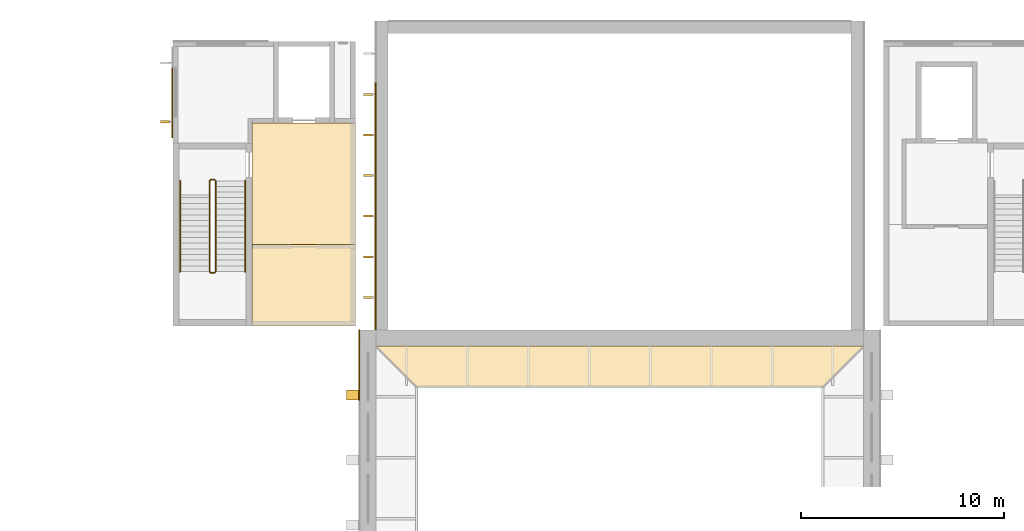
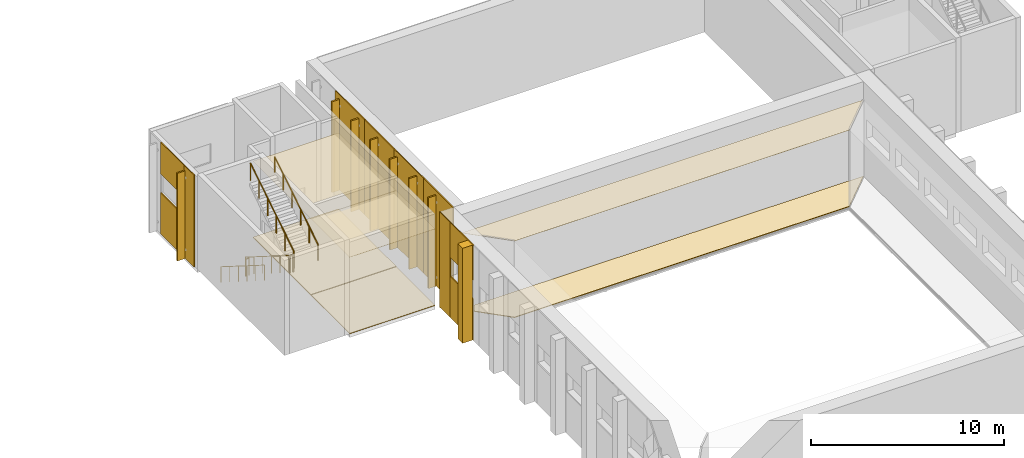
# One storey, part 20 of 22: 17 coverings, 7 shading devices, 6 railings.
"""IFC4 building model written with IfcOpenShell, lengths in metres."""

from ifc_helpers import new_model, si_unit, direction, frame, origin, origin_2d, place, context, subcontext, project, spatial, polyline, rectangle, circle, outline, extrude, material, layer, layer_set, type_object, element, save


model = new_model("IFC4")

# Units and contexts
model_context = context("Model", 3, precision=1e-05, world=origin(), true_north=direction((0.0, 1.0)))
body_context = subcontext(model_context, "Body", "Model", "MODEL_VIEW")
ifc_project = project(units=[si_unit("LENGTHUNIT", "METRE"), si_unit("AREAUNIT", "SQUARE_METRE"), si_unit("VOLUMEUNIT", "CUBIC_METRE"), si_unit("PLANEANGLEUNIT", "RADIAN"), si_unit("MASSUNIT", "GRAM", prefix="KILO")], contexts=[model_context])

# Site, building, storey
site_placement = place(None, origin())
site = spatial("IfcSite", under=ifc_project, at=site_placement, CompositionType="ELEMENT")
building_placement = place(site_placement, origin())
building = spatial("IfcBuilding", under=site, at=building_placement, Name="Lunette Opera House", CompositionType="ELEMENT")
storey_placement = place(building_placement, frame((0.0, 0.0, 28.0)))
storey = spatial("IfcBuildingStorey", under=building, at=storey_placement, Name="L05", CompositionType="ELEMENT", Elevation=28.0)

# Shading devices
ifc_material_1 = material(Name="Powder-coated aluminium", Category="aluminium")
shading_device_type = type_object("IfcShadingDeviceType", Name="SOLAR FIN 100 X 450", PredefinedType="USERDEFINED", material=ifc_material_1)
for number, where, z_axis, x_axis, name in (
    (1, (83.614990234375, 122.39990234375, 0.115234375), (0.0, 0.0, 1.0), (-1.0, 0.0, 0.0), "Solar fin ST-W089 1"),
    (2, (83.614990234375, 124.39990234375, 0.115234375), (0.0, 0.0, 1.0), (-1.0, 0.0, 0.0), "Solar fin ST-W089 2"),
    (3, (83.614990234375, 126.39990234375, 0.115234375), (0.0, 0.0, 1.0), (-1.0, 0.0, 0.0), "Solar fin ST-W089 3"),
    (4, (83.614990234375, 128.39990234375, 0.115234375), (0.0, 0.0, 1.0), (-1.0, 0.0, 0.0), "Solar fin ST-W089 4"),
    (5, (83.614990234375, 130.39990234375, 0.115234375), (0.0, 0.0, 1.0), (-1.0, 0.0, 0.0), "Solar fin ST-W089 5"),
    (6, (83.614990234375, 132.39990234375, 0.115234375), (0.0, 0.0, 1.0), (-1.0, 0.0, 0.0), "Solar fin ST-W089 6"),
):
    element("IfcShadingDevice", number, at=place(storey_placement, frame(where, z_axis=z_axis, x_axis=x_axis)), inside=storey, type_object=shading_device_type, Name=name, ObjectType="SOLAR FIN", PredefinedType="USERDEFINED", context=body_context, shape_type="SweptSolid", body=[
        extrude(rectangle(XDim=0.449951171875, YDim=0.10009765625, at=origin_2d()), origin(), (0.0, 0.0, 1.0), 5.735107421875),
    ])
shading_device_placement = place(storey_placement, frame((73.614990234375, 131.050048828125, 0.11572265625), z_axis=(0.0, 0.0, 1.0), x_axis=(-1.0, 0.0, 0.0)))
element("IfcShadingDevice", 7, at=shading_device_placement, inside=storey, type_object=shading_device_type, Name="Solar fin ST-W2042 2", ObjectType="SOLAR FIN", PredefinedType="USERDEFINED", context=body_context, shape_type="SweptSolid", body=[
    extrude(rectangle(XDim=0.449951171875, YDim=0.10009765625, at=origin_2d()), origin(), (0.0, 0.0, 1.0), 5.534912109375),
])

# Railings
ifc_material_2 = material(Name="Steel S355", Category="steel")
railing_type_1 = type_object("IfcRailingType", Name="STAIR GUARD 1100", PredefinedType="GUARDRAIL", material=ifc_material_2)
railing_1_placement = place(storey_placement, frame((75.800048828125, 128.14990234375, 0.176513671875)))
element("IfcRailing", 8, at=railing_1_placement, inside=storey, type_object=railing_type_1, Name="L05 ST11 stair guard 1", PredefinedType="GUARDRAIL", context=body_context, shape_type="SweptSolid", body=[
    extrude(circle(Radius=0.02392578125, at=origin_2d()), frame((0.0, 0.0, 1.076171875), z_axis=(0.0, -0.845997938375, 0.533186166611), x_axis=(1.0, 0.0, 0.0)), (0.0, 0.0, 1.0), 5.29541015625),
    extrude(circle(Radius=0.02099609375, at=origin_2d()), origin(), (0.0, 0.0, 1.0), 1.052001953125),
    extrude(circle(Radius=0.02099609375, at=origin_2d()), frame((0.0, -0.89599609375, 0.564697265625)), (0.0, 0.0, 1.0), 1.052001953125),
    extrude(circle(Radius=0.02099609375, at=origin_2d()), frame((0.0, -1.7919921875, 1.12939453125)), (0.0, 0.0, 1.0), 1.052001953125),
    extrude(circle(Radius=0.02099609375, at=origin_2d()), frame((0.0, -2.68798828125, 1.694091796875)), (0.0, 0.0, 1.0), 1.052001953125),
    extrude(circle(Radius=0.02099609375, at=origin_2d()), frame((0.0, -3.583984375, 2.2587890625)), (0.0, 0.0, 1.0), 1.052001953125),
    extrude(circle(Radius=0.02099609375, at=origin_2d()), frame((0.0, -4.47998046875, 2.823486328125)), (0.0, 0.0, 1.0), 1.052001953125),
])
railing_2_placement = place(storey_placement, frame((75.85009765625, 123.6201171875, 3.0)))
element("IfcRailing", 9, at=railing_2_placement, inside=storey, type_object=railing_type_1, Name="L05 ST11 stair guard 2", PredefinedType="GUARDRAIL", context=body_context, shape_type="SweptSolid", body=[
    extrude(circle(Radius=0.02392578125, at=origin_2d()), frame((0.0, 0.0, 1.076171875), z_axis=(1.0, 0.0, 0.0), x_axis=(0.0, 1.0, 0.0)), (0.0, 0.0, 1.0), 0.199951171875),
    extrude(circle(Radius=0.02099609375, at=origin_2d()), origin(), (0.0, 0.0, 1.0), 1.052001953125),
    extrude(circle(Radius=0.02099609375, at=origin_2d()), frame((0.199951171875, 0.0, 0.0)), (0.0, 0.0, 1.0), 1.052001953125),
])
railing_3_placement = place(storey_placement, frame((76.10009765625, 123.669921875, 3.176513671875)))
element("IfcRailing", 10, at=railing_3_placement, inside=storey, type_object=railing_type_1, Name="L05 ST11 stair guard 3", PredefinedType="GUARDRAIL", context=body_context, shape_type="SweptSolid", body=[
    extrude(circle(Radius=0.02392578125, at=origin_2d()), frame((0.0, 0.0, 1.076171875), z_axis=(0.0, 0.845997938375, 0.533186166611), x_axis=(-1.0, 0.0, 0.0)), (0.0, 0.0, 1.0), 5.29541015625),
    extrude(circle(Radius=0.02099609375, at=origin_2d()), origin(), (0.0, 0.0, 1.0), 1.052001953125),
    extrude(circle(Radius=0.02099609375, at=origin_2d()), frame((0.0, 0.89599609375, 0.564697265625)), (0.0, 0.0, 1.0), 1.052001953125),
    extrude(circle(Radius=0.02099609375, at=origin_2d()), frame((0.0, 1.7919921875, 1.12939453125)), (0.0, 0.0, 1.0), 1.052001953125),
    extrude(circle(Radius=0.02099609375, at=origin_2d()), frame((0.0, 2.68798828125, 1.694091796875)), (0.0, 0.0, 1.0), 1.052001953125),
    extrude(circle(Radius=0.02099609375, at=origin_2d()), frame((0.0, 3.583984375, 2.2587890625)), (0.0, 0.0, 1.0), 1.052001953125),
    extrude(circle(Radius=0.02099609375, at=origin_2d()), frame((0.0, 4.47998046875, 2.823486328125)), (0.0, 0.0, 1.0), 1.052001953125),
])
railing_4_placement = place(storey_placement, frame((75.85009765625, 128.199951171875, 0.0)))
element("IfcRailing", 11, at=railing_4_placement, inside=storey, type_object=railing_type_1, Name="L05 ST11 stair guard 4", PredefinedType="GUARDRAIL", context=body_context, shape_type="SweptSolid", body=[
    extrude(circle(Radius=0.02392578125, at=origin_2d()), frame((0.0, 0.0, 1.076171875), z_axis=(1.0, 0.0, 0.0), x_axis=(0.0, 1.0, 0.0)), (0.0, 0.0, 1.0), 0.199951171875),
    extrude(circle(Radius=0.02099609375, at=origin_2d()), origin(), (0.0, 0.0, 1.0), 1.052001953125),
    extrude(circle(Radius=0.02099609375, at=origin_2d()), frame((0.199951171875, 0.0, 0.0)), (0.0, 0.0, 1.0), 1.052001953125),
])
ifc_material_3 = material(Name="Steel S355", Category="steel")
railing_type_2 = type_object("IfcRailingType", Name="STAIR HANDRAIL 1000", PredefinedType="HANDRAIL", material=ifc_material_3)
railing_5_placement = place(storey_placement, frame((74.35009765625, 128.14990234375, 0.176513671875)))
element("IfcRailing", 12, at=railing_5_placement, inside=storey, type_object=railing_type_2, Name="L05 ST11 stair handrail 1", PredefinedType="HANDRAIL", context=body_context, shape_type="SweptSolid", body=[
    extrude(circle(Radius=0.02392578125, at=origin_2d()), frame((0.0, 0.0, 0.97607421875), z_axis=(0.0, -0.845997938375, 0.533186166611), x_axis=(1.0, 0.0, 0.0)), (0.0, 0.0, 1.0), 5.29541015625),
    extrude(circle(Radius=0.02099609375, at=origin_2d()), origin(), (0.0, 0.0, 1.0), 0.951904296875),
    extrude(circle(Radius=0.02099609375, at=origin_2d()), frame((0.0, -0.89599609375, 0.564697265625)), (0.0, 0.0, 1.0), 0.951904296875),
    extrude(circle(Radius=0.02099609375, at=origin_2d()), frame((0.0, -1.7919921875, 1.12939453125)), (0.0, 0.0, 1.0), 0.951904296875),
    extrude(circle(Radius=0.02099609375, at=origin_2d()), frame((0.0, -2.68798828125, 1.694091796875)), (0.0, 0.0, 1.0), 0.951904296875),
    extrude(circle(Radius=0.02099609375, at=origin_2d()), frame((0.0, -3.583984375, 2.2587890625)), (0.0, 0.0, 1.0), 0.951904296875),
    extrude(circle(Radius=0.02099609375, at=origin_2d()), frame((0.0, -4.47998046875, 2.823486328125)), (0.0, 0.0, 1.0), 0.951904296875),
])
railing_6_placement = place(storey_placement, frame((77.550048828125, 123.669921875, 3.176513671875)))
element("IfcRailing", 13, at=railing_6_placement, inside=storey, type_object=railing_type_2, Name="L05 ST11 stair handrail 2", PredefinedType="HANDRAIL", context=body_context, shape_type="SweptSolid", body=[
    extrude(circle(Radius=0.02392578125, at=origin_2d()), frame((0.0, 0.0, 0.97607421875), z_axis=(0.0, 0.845997938375, 0.533186166611), x_axis=(-1.0, 0.0, 0.0)), (0.0, 0.0, 1.0), 5.29541015625),
    extrude(circle(Radius=0.02099609375, at=origin_2d()), origin(), (0.0, 0.0, 1.0), 0.951904296875),
    extrude(circle(Radius=0.02099609375, at=origin_2d()), frame((0.0, 0.89599609375, 0.564697265625)), (0.0, 0.0, 1.0), 0.951904296875),
    extrude(circle(Radius=0.02099609375, at=origin_2d()), frame((0.0, 1.7919921875, 1.12939453125)), (0.0, 0.0, 1.0), 0.951904296875),
    extrude(circle(Radius=0.02099609375, at=origin_2d()), frame((0.0, 2.68798828125, 1.694091796875)), (0.0, 0.0, 1.0), 0.951904296875),
    extrude(circle(Radius=0.02099609375, at=origin_2d()), frame((0.0, 3.583984375, 2.2587890625)), (0.0, 0.0, 1.0), 0.951904296875),
    extrude(circle(Radius=0.02099609375, at=origin_2d()), frame((0.0, 4.47998046875, 2.823486328125)), (0.0, 0.0, 1.0), 0.951904296875),
])

# Coverings
ifc_material_4 = material(Name="Aluminium standing seam cladding", Category="aluminium")
ifc_layer_1 = layer(ifc_material_4, 0.06005859375)
ifc_layer_set_1 = layer_set([ifc_layer_1], Name="Aluminium standing seam cladding")
covering_type_1 = type_object("IfcCoveringType", Name="STANDING SEAM CLADDING 60", PredefinedType="CLADDING", material=ifc_layer_set_1)
covering_1_placement = place(storey_placement, frame((83.169921875, 118.5, 0.0), z_axis=(0.0, 0.0, 1.0), x_axis=(0.0, 1.0, 0.0)))
element("IfcCovering", 14, at=covering_1_placement, inside=storey, type_object=covering_type_1, Name="Standing seam cladding WW L05 150", PredefinedType="CLADDING", context=body_context, shape_type="SweptSolid", body=[
    extrude(rectangle(XDim=2.39990234375, YDim=0.06005859375, at=origin_2d()), origin(), (0.0, 0.0, 1.0), 2.60009765625),
])
covering_2_placement = place(storey_placement, frame((83.169921875, 118.5, 3.7998046875), z_axis=(0.0, 0.0, 1.0), x_axis=(0.0, 1.0, 0.0)))
element("IfcCovering", 15, at=covering_2_placement, inside=storey, type_object=covering_type_1, Name="Standing seam cladding WW L05 151", PredefinedType="CLADDING", context=body_context, shape_type="SweptSolid", body=[
    extrude(rectangle(XDim=2.39990234375, YDim=0.06005859375, at=origin_2d()), origin(), (0.0, 0.0, 1.0), 2.199951171875),
])
covering_3_placement = place(storey_placement, frame((83.169921875, 120.25, 0.0), z_axis=(0.0, 0.0, 1.0), x_axis=(0.0, 1.0, 0.0)))
element("IfcCovering", 16, at=covering_3_placement, inside=storey, type_object=covering_type_1, Name="Standing seam cladding WW L05 160", PredefinedType="CLADDING", context=body_context, shape_type="SweptSolid", body=[
    extrude(rectangle(XDim=1.10009765625, YDim=0.06005859375, at=origin_2d()), origin(), (0.0, 0.0, 1.0), 6.0),
])
for number, where, z_axis, x_axis, name in (
    (17, (83.969970703125, 122.320068359375, 0.0), (0.0, 0.0, 1.0), (0.0, 1.0, 0.0), "Standing seam cladding SR-W-1 L05 00"),
    (18, (83.969970703125, 125.360107421875, 0.0), (0.0, 0.0, 1.0), (0.0, 1.0, 0.0), "Standing seam cladding SR-W-1 L05 01"),
    (19, (83.969970703125, 128.39990234375, 0.0), (0.0, 0.0, 1.0), (0.0, 1.0, 0.0), "Standing seam cladding SR-W-1 L05 02"),
    (20, (83.969970703125, 131.43994140625, 0.0), (0.0, 0.0, 1.0), (0.0, 1.0, 0.0), "Standing seam cladding SR-W-1 L05 03"),
):
    element("IfcCovering", number, at=place(storey_placement, frame(where, z_axis=z_axis, x_axis=x_axis)), inside=storey, type_object=covering_type_1, Name=name, PredefinedType="CLADDING", context=body_context, shape_type="SweptSolid", body=[
        extrude(rectangle(XDim=3.0400390625, YDim=0.06005859375, at=origin_2d()), origin(), (0.0, 0.0, 1.0), 6.0),
    ])
covering_4_placement = place(storey_placement, frame((73.969970703125, 132.5, 0.0), z_axis=(0.0, 0.0, 1.0), x_axis=(0.0, -1.0, 0.0)))
element("IfcCovering", 21, at=covering_4_placement, inside=storey, type_object=covering_type_1, Name="Standing seam cladding TW42 L05 10", PredefinedType="CLADDING", context=body_context, shape_type="SweptSolid", body=[
    extrude(rectangle(XDim=2.39990234375, YDim=0.06005859375, at=origin_2d()), origin(), (0.0, 0.0, 1.0), 2.60009765625),
])
covering_5_placement = place(storey_placement, frame((73.969970703125, 132.5, 3.800048828125), z_axis=(0.0, 0.0, 1.0), x_axis=(0.0, -1.0, 0.0)))
element("IfcCovering", 22, at=covering_5_placement, inside=storey, type_object=covering_type_1, Name="Standing seam cladding TW42 L05 11", PredefinedType="CLADDING", context=body_context, shape_type="SweptSolid", body=[
    extrude(rectangle(XDim=2.39990234375, YDim=0.06005859375, at=origin_2d()), origin(), (0.0, 0.0, 1.0), 2.0),
])
covering_6_placement = place(storey_placement, frame((73.969970703125, 130.77490234375, 0.0), z_axis=(0.0, 0.0, 1.0), x_axis=(0.0, -1.0, 0.0)))
element("IfcCovering", 23, at=covering_6_placement, inside=storey, type_object=covering_type_1, Name="Standing seam cladding TW42 L05 20", PredefinedType="CLADDING", context=body_context, shape_type="SweptSolid", body=[
    extrude(rectangle(XDim=1.050048828125, YDim=0.06005859375, at=origin_2d()), origin(), (0.0, 0.0, 1.0), 5.800048828125),
])
ifc_material_5 = material(Name="Mineral fibre board")
ifc_layer_2 = layer(ifc_material_5, 0.014892578125)
ifc_layer_set_2 = layer_set([ifc_layer_2], Name="Mineral fibre board")
covering_type_2 = type_object("IfcCoveringType", Name="SUSPENDED ACOUSTIC CEILING 15", PredefinedType="CEILING", material=ifc_layer_set_2)
covering_7_placement = place(storey_placement, frame((0.0, 0.0, 4.8349609375)))
element("IfcCovering", 24, at=covering_7_placement, inside=storey, type_object=covering_type_2, Name="Ceiling Lift Lobby L05 Stage Tower", PredefinedType="CEILING", context=body_context, shape_type="SweptSolid", body=[
    extrude(outline(polyline([(83.0, 125.0), (83.0, 131.0), (77.89990234375, 131.0), (77.89990234375, 125.0), (83.0, 125.0)])), origin(), (0.0, 0.0, 1.0), 0.01513671875),
])
covering_8_placement = place(storey_placement, frame((0.0, 0.0, 4.8349609375)))
element("IfcCovering", 25, at=covering_8_placement, inside=storey, type_object=covering_type_2, Name="Ceiling Fly Gallery 28 North", PredefinedType="CEILING", context=body_context, shape_type="SweptSolid", body=[
    extrude(outline(polyline([(106.0, 118.0), (86.0, 118.0), (84.0, 120.0), (108.0, 120.0), (106.0, 118.0)])), origin(), (0.0, 0.0, 1.0), 0.01513671875),
])
covering_9_placement = place(storey_placement, frame((0.0, 0.0, 4.8349609375)))
element("IfcCovering", 26, at=covering_9_placement, inside=storey, type_object=covering_type_2, Name="Ceiling Lighting Control Room", PredefinedType="CEILING", context=body_context, shape_type="SweptSolid", body=[
    extrude(outline(polyline([(77.89990234375, 125.0), (83.0, 125.0), (83.0, 121.0), (77.89990234375, 121.0), (77.89990234375, 125.0)])), origin(), (0.0, 0.0, 1.0), 0.01513671875),
])
ifc_material_6 = material(Name="Terrazzo")
ifc_layer_3 = layer(ifc_material_6, 0.06005859375)
ifc_layer_set_3 = layer_set([ifc_layer_3], Name="Terrazzo")
covering_type_3 = type_object("IfcCoveringType", Name="TERRAZZO FLOOR FINISH 60", PredefinedType="FLOORING", material=ifc_layer_set_3)
covering_10_placement = place(storey_placement, origin())
element("IfcCovering", 27, at=covering_10_placement, inside=storey, type_object=covering_type_3, Name="Floor finish Lift Lobby L05 Stage Tower", PredefinedType="FLOORING", context=body_context, shape_type="SweptSolid", body=[
    extrude(outline(polyline([(83.0, 125.0), (83.0, 131.0), (77.89990234375, 131.0), (77.89990234375, 125.0), (83.0, 125.0)])), origin(), (0.0, 0.0, 1.0), 0.06005859375),
])
ifc_material_7 = material(Name="Timber", Category="wood")
ifc_layer_4 = layer(ifc_material_7, 0.0400390625)
ifc_layer_set_4 = layer_set([ifc_layer_4], Name="Timber")
covering_type_4 = type_object("IfcCoveringType", Name="TIMBER FLOOR FINISH 40", PredefinedType="FLOORING", material=ifc_layer_set_4)
covering_11_placement = place(storey_placement, origin())
element("IfcCovering", 28, at=covering_11_placement, inside=storey, type_object=covering_type_4, Name="Floor finish Fly Gallery 28 North", PredefinedType="FLOORING", context=body_context, shape_type="SweptSolid", body=[
    extrude(outline(polyline([(106.0, 118.0), (86.0, 118.0), (84.0, 120.0), (108.0, 120.0), (106.0, 118.0)])), origin(), (0.0, 0.0, 1.0), 0.0400390625),
])
covering_12_placement = place(storey_placement, origin())
element("IfcCovering", 29, at=covering_12_placement, inside=storey, type_object=covering_type_4, Name="Floor finish Lighting Control Room", PredefinedType="FLOORING", context=body_context, shape_type="SweptSolid", body=[
    extrude(outline(polyline([(77.89990234375, 125.0), (83.0, 125.0), (83.0, 121.0), (77.89990234375, 121.0), (77.89990234375, 125.0)])), origin(), (0.0, 0.0, 1.0), 0.0400390625),
])
ifc_material_8 = material(Name="Weathering steel plate", Category="steel")
ifc_layer_5 = layer(ifc_material_8, 0.60009765625)
ifc_layer_set_5 = layer_set([ifc_layer_5], Name="Weathering steel plate")
covering_type_5 = type_object("IfcCoveringType", Name="TOWER RIB 500 X 600", PredefinedType="CLADDING", material=ifc_layer_set_5)
covering_13_placement = place(storey_placement, frame((82.840087890625, 117.60009765625, 0.0), z_axis=(0.0, 0.0, 1.0), x_axis=(0.0, 1.0, 0.0)))
element("IfcCovering", 30, at=covering_13_placement, inside=storey, type_object=covering_type_5, Name="Tower rib WW L05 7", PredefinedType="CLADDING", context=body_context, shape_type="SweptSolid", body=[
    extrude(rectangle(XDim=0.5, YDim=0.60009765625, at=origin_2d()), origin(), (0.0, 0.0, 1.0), 6.0),
])

save(model, "model.ifc")
